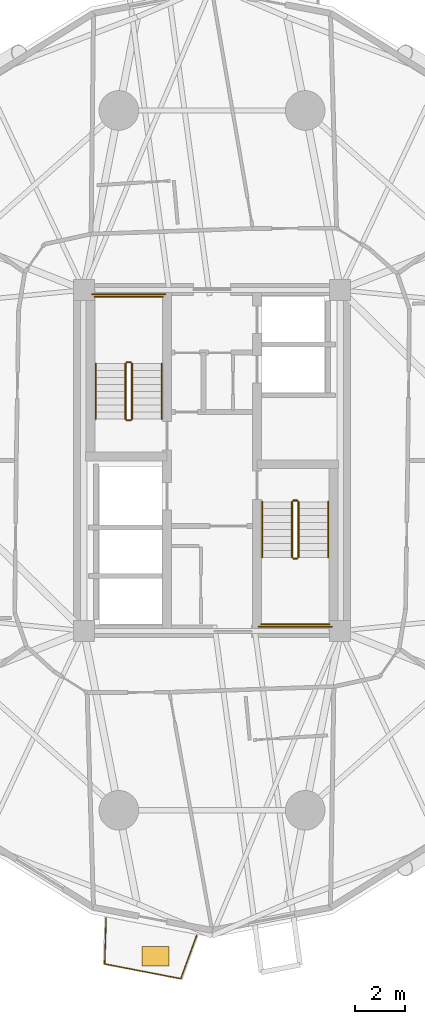
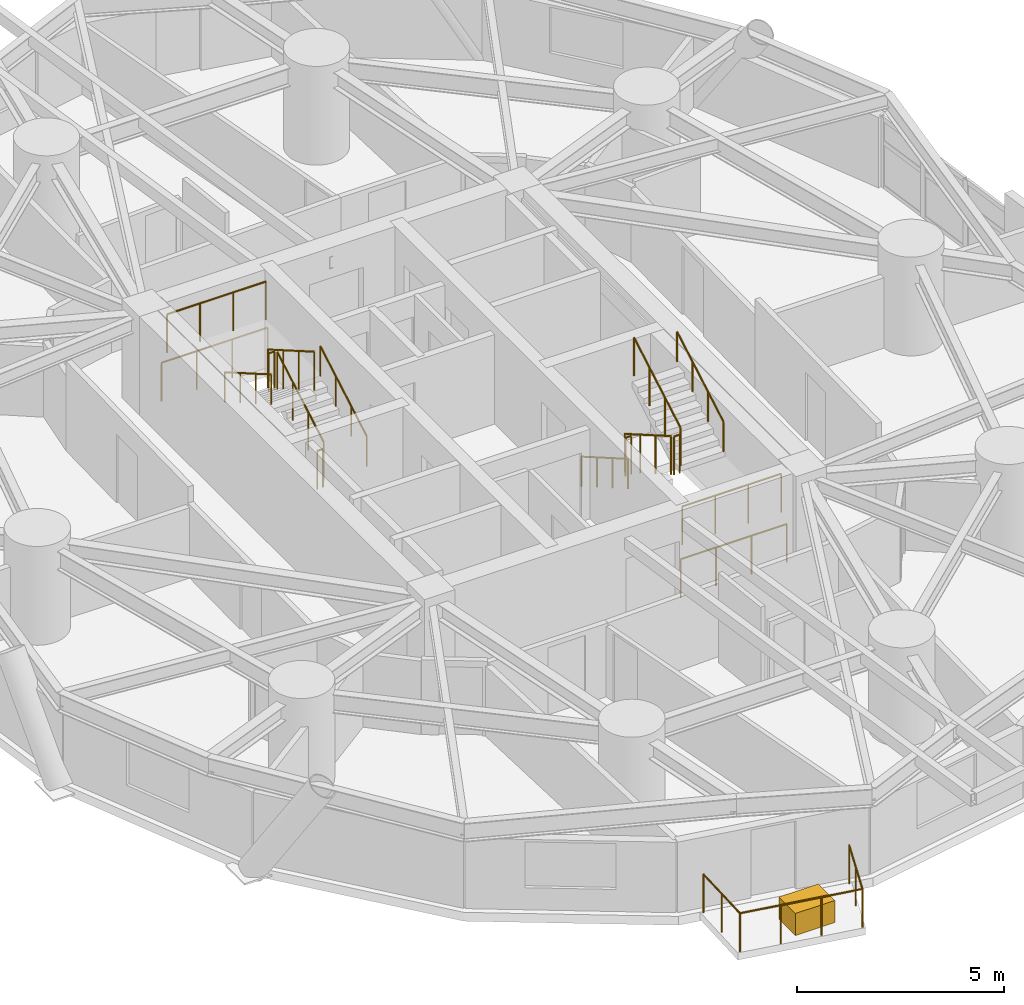
# One storey, part 17 of 19: 17 railings, 1 covering.
"""IFC4 building model written with IfcOpenShell, lengths in metres."""

from ifc_helpers import new_model, si_unit, direction, frame, origin, origin_2d, place, context, subcontext, project, spatial, rectangle, circle, extrude, source, transform, mapped, material, layer, layer_set, type_object, element, save


model = new_model("IFC4")

# Units and contexts
model_context = context("Model", 3, precision=1e-05, world=origin(), true_north=direction((0.0, 1.0)))
body_context = subcontext(model_context, "Body", "Model", "MODEL_VIEW")
ifc_project = project(units=[si_unit("LENGTHUNIT", "METRE"), si_unit("AREAUNIT", "SQUARE_METRE"), si_unit("VOLUMEUNIT", "CUBIC_METRE"), si_unit("PLANEANGLEUNIT", "RADIAN"), si_unit("MASSUNIT", "GRAM", prefix="KILO")], contexts=[model_context])

# Site, building, storey
site_placement = place(None, origin())
site = spatial("IfcSite", under=ifc_project, at=site_placement, CompositionType="ELEMENT")
building_placement = place(site_placement, origin())
building = spatial("IfcBuilding", under=site, at=building_placement, Name="Cununo Teusaquillo Station Towers", CompositionType="ELEMENT")
storey_placement = place(building_placement, frame((0.0, 0.0, 30.72998046875)))
storey = spatial("IfcBuildingStorey", under=building, at=storey_placement, Name="L08", CompositionType="ELEMENT", Elevation=30.72998046875)

# Railings
ifc_material_1 = material(Name="Anodised dark bronze aluminium EN AW-6063-T6", Category="aluminium")
railing_type_1 = type_object("IfcRailingType", Name="RL-EXT-GUARD", PredefinedType="GUARDRAIL", material=ifc_material_1)
railing_1_placement = place(storey_placement, frame((15.8818359375, 5.328125, 0.0)))
element("IfcRailing", 1, at=railing_1_placement, inside=storey, type_object=railing_type_1, Name="L08 Tower A Balcony Guardrail C14", PredefinedType="GUARDRAIL", context=body_context, shape_type="SweptSolid", body=[
    extrude(circle(Radius=0.02392578125, at=origin_2d()), frame((0.0, 0.0, 1.1259765625), z_axis=(-0.343888798081, -0.93901038043, 0.0), x_axis=(0.93901038043, -0.343888798081, 0.0)), (0.0, 0.0, 1.0), 1.86279296875),
    extrude(circle(Radius=0.02392578125, at=origin_2d()), frame((-0.640625, -1.749267578125, 1.1259765625), z_axis=(-0.981838510886, 0.189718577217, 0.0), x_axis=(-0.189718577217, -0.981838510886, 0.0)), (0.0, 0.0, 1.0), 3.12841796875),
    extrude(circle(Radius=0.02392578125, at=origin_2d()), frame((-3.712158203125, -1.15576171875, 1.1259765625), z_axis=(0.030666047799, 0.999529686159, 0.0), x_axis=(-0.999529686159, 0.030666047799, 0.0)), (0.0, 0.0, 1.0), 1.863037109375),
    extrude(circle(Radius=0.02099609375, at=origin_2d()), origin(), (0.0, 0.0, 1.0), 1.101806640625),
    extrude(circle(Radius=0.02099609375, at=origin_2d()), frame((-0.3203125, -0.87451171875, 0.0)), (0.0, 0.0, 1.0), 1.101806640625),
    extrude(circle(Radius=0.02099609375, at=origin_2d()), frame((-0.640625, -1.749267578125, 0.0)), (0.0, 0.0, 1.0), 1.101806640625),
    extrude(circle(Radius=0.02099609375, at=origin_2d()), frame((-1.66455078125, -1.551513671875, 0.0)), (0.0, 0.0, 1.0), 1.101806640625),
    extrude(circle(Radius=0.02099609375, at=origin_2d()), frame((-2.688232421875, -1.353515625, 0.0)), (0.0, 0.0, 1.0), 1.101806640625),
    extrude(circle(Radius=0.02099609375, at=origin_2d()), frame((-3.712158203125, -1.15576171875, 0.0)), (0.0, 0.0, 1.0), 1.101806640625),
    extrude(circle(Radius=0.02099609375, at=origin_2d()), frame((-3.68359375, -0.224609375, 0.0)), (0.0, 0.0, 1.0), 1.101806640625),
    extrude(circle(Radius=0.02099609375, at=origin_2d()), frame((-3.655029296875, 0.706298828125, 0.0)), (0.0, 0.0, 1.0), 1.101806640625),
])
ifc_material_2 = material(Name="Steel EN 10025-2 S355J2", Category="steel")
railing_type_2 = type_object("IfcRailingType", Name="RL-INT-GUARD", PredefinedType="GUARDRAIL", material=ifc_material_2)
railing_2_placement = place(storey_placement, frame((13.27001953125, 26.169921875, 0.16162109375)))
element("IfcRailing", 2, at=railing_2_placement, inside=storey, type_object=railing_type_2, Name="L08 ST-T1-1 stair guard 1", PredefinedType="GUARDRAIL", context=body_context, shape_type="SweptSolid", body=[
    extrude(circle(Radius=0.02392578125, at=origin_2d()), frame((0.0, 0.0, 1.1259765625), z_axis=(0.0, 0.865992244559, 0.500057429065), x_axis=(-1.0, 0.0, 0.0)), (0.0, 0.0, 1.0), 2.586669921875),
    extrude(circle(Radius=0.02099609375, at=origin_2d()), origin(), (0.0, 0.0, 1.0), 1.101806640625),
    extrude(circle(Radius=0.02099609375, at=origin_2d()), frame((0.0, 0.74658203125, 0.43115234375)), (0.0, 0.0, 1.0), 1.101806640625),
    extrude(circle(Radius=0.02099609375, at=origin_2d()), frame((0.0, 1.493408203125, 0.8623046875)), (0.0, 0.0, 1.0), 1.101806640625),
    extrude(circle(Radius=0.02099609375, at=origin_2d()), frame((0.0, 2.239990234375, 1.29345703125)), (0.0, 0.0, 1.0), 1.101806640625),
])
railing_3_placement = place(storey_placement, frame((13.219970703125, 28.4599609375, 1.455078125)))
element("IfcRailing", 3, at=railing_3_placement, inside=storey, type_object=railing_type_2, Name="L08 ST-T1-1 stair guard 2", PredefinedType="GUARDRAIL", context=body_context, shape_type="SweptSolid", body=[
    extrude(circle(Radius=0.02392578125, at=origin_2d()), frame((0.0, 0.0, 1.1259765625), z_axis=(-1.0, 0.0, 0.0), x_axis=(0.0, -1.0, 0.0)), (0.0, 0.0, 1.0), 0.159912109375),
    extrude(circle(Radius=0.02099609375, at=origin_2d()), origin(), (0.0, 0.0, 1.0), 1.101806640625),
    extrude(circle(Radius=0.02099609375, at=origin_2d()), frame((-0.159912109375, 0.0, 0.0)), (0.0, 0.0, 1.0), 1.101806640625),
])
railing_4_placement = place(storey_placement, frame((14.52001953125, 31.110107421875, 1.455078125)))
element("IfcRailing", 4, at=railing_4_placement, inside=storey, type_object=railing_type_2, Name="L08 ST-T1-1 stair guard 3", PredefinedType="GUARDRAIL", context=body_context, shape_type="SweptSolid", body=[
    extrude(circle(Radius=0.02392578125, at=origin_2d()), frame((0.0, 0.0, 1.1259765625), z_axis=(-1.0, 0.0, 0.0), x_axis=(0.0, -1.0, 0.0)), (0.0, 0.0, 1.0), 2.760009765625),
    extrude(circle(Radius=0.02099609375, at=origin_2d()), origin(), (0.0, 0.0, 1.0), 1.101806640625),
    extrude(circle(Radius=0.02099609375, at=origin_2d()), frame((-0.919921875, 0.0, 0.0)), (0.0, 0.0, 1.0), 1.101806640625),
    extrude(circle(Radius=0.02099609375, at=origin_2d()), frame((-1.840087890625, 0.0, 0.0)), (0.0, 0.0, 1.0), 1.101806640625),
    extrude(circle(Radius=0.02099609375, at=origin_2d()), frame((-2.760009765625, 0.0, 0.0)), (0.0, 0.0, 1.0), 1.101806640625),
])
railing_5_placement = place(storey_placement, frame((13.010009765625, 28.409912109375, 1.61669921875)))
element("IfcRailing", 5, at=railing_5_placement, inside=storey, type_object=railing_type_2, Name="L08 ST-T1-1 stair guard 4", PredefinedType="GUARDRAIL", context=body_context, shape_type="SweptSolid", body=[
    extrude(circle(Radius=0.02392578125, at=origin_2d()), frame((0.0, 0.0, 1.1259765625), z_axis=(0.0, -0.866033117094, 0.499986639918), x_axis=(1.0, 0.0, 0.0)), (0.0, 0.0, 1.0), 2.58642578125),
    extrude(circle(Radius=0.02099609375, at=origin_2d()), origin(), (0.0, 0.0, 1.0), 1.101806640625),
    extrude(circle(Radius=0.02099609375, at=origin_2d()), frame((0.0, -0.74658203125, 0.43115234375)), (0.0, 0.0, 1.0), 1.101806640625),
    extrude(circle(Radius=0.02099609375, at=origin_2d()), frame((0.0, -1.493408203125, 0.862060546875)), (0.0, 0.0, 1.0), 1.101806640625),
    extrude(circle(Radius=0.02099609375, at=origin_2d()), frame((0.0, -2.239990234375, 1.293212890625)), (0.0, 0.0, 1.0), 1.101806640625),
])
railing_6_placement = place(storey_placement, frame((13.219970703125, 26.1201171875, 0.0)))
element("IfcRailing", 6, at=railing_6_placement, inside=storey, type_object=railing_type_2, Name="L08 ST-T1-1 stair guard 5", PredefinedType="GUARDRAIL", context=body_context, shape_type="SweptSolid", body=[
    extrude(circle(Radius=0.02392578125, at=origin_2d()), frame((0.0, 0.0, 1.1259765625), z_axis=(-1.0, 0.0, 0.0), x_axis=(0.0, -1.0, 0.0)), (0.0, 0.0, 1.0), 0.159912109375),
    extrude(circle(Radius=0.02099609375, at=origin_2d()), origin(), (0.0, 0.0, 1.0), 1.101806640625),
    extrude(circle(Radius=0.02099609375, at=origin_2d()), frame((-0.159912109375, 0.0, 0.0)), (0.0, 0.0, 1.0), 1.101806640625),
])
railing_7_placement = place(storey_placement, frame((14.6201171875, 31.2099609375, 0.0)))
element("IfcRailing", 7, at=railing_7_placement, inside=storey, type_object=railing_type_2, Name="L08 ST-T1-1 stair guard 6", PredefinedType="GUARDRAIL", context=body_context, shape_type="SweptSolid", body=[
    extrude(circle(Radius=0.02392578125, at=origin_2d()), frame((0.0, 0.0, 1.1259765625), z_axis=(-1.0, 0.0, 0.0), x_axis=(0.0, -1.0, 0.0)), (0.0, 0.0, 1.0), 2.960205078125),
    extrude(circle(Radius=0.02099609375, at=origin_2d()), origin(), (0.0, 0.0, 1.0), 1.101806640625),
    extrude(circle(Radius=0.02099609375, at=origin_2d()), frame((-0.98681640625, 0.0, 0.0)), (0.0, 0.0, 1.0), 1.101806640625),
    extrude(circle(Radius=0.02099609375, at=origin_2d()), frame((-1.973388671875, 0.0, 0.0)), (0.0, 0.0, 1.0), 1.101806640625),
    extrude(circle(Radius=0.02099609375, at=origin_2d()), frame((-2.960205078125, 0.0, 0.0)), (0.0, 0.0, 1.0), 1.101806640625),
])
railing_8_placement = place(storey_placement, frame((19.72998046875, 22.830078125, 0.16162109375)))
element("IfcRailing", 8, at=railing_8_placement, inside=storey, type_object=railing_type_2, Name="L08 ST-T1-2 stair guard 1", PredefinedType="GUARDRAIL", context=body_context, shape_type="SweptSolid", body=[
    extrude(circle(Radius=0.02392578125, at=origin_2d()), frame((0.0, 0.0, 1.1259765625), z_axis=(0.0, -0.865992244559, 0.500057429065), x_axis=(1.0, 0.0, 0.0)), (0.0, 0.0, 1.0), 2.586669921875),
    extrude(circle(Radius=0.02099609375, at=origin_2d()), origin(), (0.0, 0.0, 1.0), 1.101806640625),
    extrude(circle(Radius=0.02099609375, at=origin_2d()), frame((0.0, -0.74658203125, 0.43115234375)), (0.0, 0.0, 1.0), 1.101806640625),
    extrude(circle(Radius=0.02099609375, at=origin_2d()), frame((0.0, -1.493408203125, 0.8623046875)), (0.0, 0.0, 1.0), 1.101806640625),
    extrude(circle(Radius=0.02099609375, at=origin_2d()), frame((0.0, -2.239990234375, 1.29345703125)), (0.0, 0.0, 1.0), 1.101806640625),
])
railing_9_placement = place(storey_placement, frame((19.780029296875, 20.5400390625, 1.455078125)))
element("IfcRailing", 9, at=railing_9_placement, inside=storey, type_object=railing_type_2, Name="L08 ST-T1-2 stair guard 2", PredefinedType="GUARDRAIL", context=body_context, shape_type="SweptSolid", body=[
    extrude(circle(Radius=0.02392578125, at=origin_2d()), frame((0.0, 0.0, 1.1259765625), z_axis=(1.0, 0.0, 0.0), x_axis=(0.0, 1.0, 0.0)), (0.0, 0.0, 1.0), 0.159912109375),
    extrude(circle(Radius=0.02099609375, at=origin_2d()), origin(), (0.0, 0.0, 1.0), 1.101806640625),
    extrude(circle(Radius=0.02099609375, at=origin_2d()), frame((0.159912109375, 0.0, 0.0)), (0.0, 0.0, 1.0), 1.101806640625),
])
railing_10_placement = place(storey_placement, frame((18.47998046875, 17.889892578125, 1.455078125)))
element("IfcRailing", 10, at=railing_10_placement, inside=storey, type_object=railing_type_2, Name="L08 ST-T1-2 stair guard 3", PredefinedType="GUARDRAIL", context=body_context, shape_type="SweptSolid", body=[
    extrude(circle(Radius=0.02392578125, at=origin_2d()), frame((0.0, 0.0, 1.1259765625), z_axis=(1.0, 0.0, 0.0), x_axis=(0.0, 1.0, 0.0)), (0.0, 0.0, 1.0), 2.760009765625),
    extrude(circle(Radius=0.02099609375, at=origin_2d()), origin(), (0.0, 0.0, 1.0), 1.101806640625),
    extrude(circle(Radius=0.02099609375, at=origin_2d()), frame((0.919921875, 0.0, 0.0)), (0.0, 0.0, 1.0), 1.101806640625),
    extrude(circle(Radius=0.02099609375, at=origin_2d()), frame((1.840087890625, 0.0, 0.0)), (0.0, 0.0, 1.0), 1.101806640625),
    extrude(circle(Radius=0.02099609375, at=origin_2d()), frame((2.760009765625, 0.0, 0.0)), (0.0, 0.0, 1.0), 1.101806640625),
])
railing_11_placement = place(storey_placement, frame((19.989990234375, 20.590087890625, 1.61669921875)))
element("IfcRailing", 11, at=railing_11_placement, inside=storey, type_object=railing_type_2, Name="L08 ST-T1-2 stair guard 4", PredefinedType="GUARDRAIL", context=body_context, shape_type="SweptSolid", body=[
    extrude(circle(Radius=0.02392578125, at=origin_2d()), frame((0.0, 0.0, 1.1259765625), z_axis=(0.0, 0.866033117094, 0.499986639918), x_axis=(-1.0, 0.0, 0.0)), (0.0, 0.0, 1.0), 2.58642578125),
    extrude(circle(Radius=0.02099609375, at=origin_2d()), origin(), (0.0, 0.0, 1.0), 1.101806640625),
    extrude(circle(Radius=0.02099609375, at=origin_2d()), frame((0.0, 0.74658203125, 0.43115234375)), (0.0, 0.0, 1.0), 1.101806640625),
    extrude(circle(Radius=0.02099609375, at=origin_2d()), frame((0.0, 1.493408203125, 0.862060546875)), (0.0, 0.0, 1.0), 1.101806640625),
    extrude(circle(Radius=0.02099609375, at=origin_2d()), frame((0.0, 2.239990234375, 1.293212890625)), (0.0, 0.0, 1.0), 1.101806640625),
])
railing_12_placement = place(storey_placement, frame((19.780029296875, 22.8798828125, 0.0)))
element("IfcRailing", 12, at=railing_12_placement, inside=storey, type_object=railing_type_2, Name="L08 ST-T1-2 stair guard 5", PredefinedType="GUARDRAIL", context=body_context, shape_type="SweptSolid", body=[
    extrude(circle(Radius=0.02392578125, at=origin_2d()), frame((0.0, 0.0, 1.1259765625), z_axis=(1.0, 0.0, 0.0), x_axis=(0.0, 1.0, 0.0)), (0.0, 0.0, 1.0), 0.159912109375),
    extrude(circle(Radius=0.02099609375, at=origin_2d()), origin(), (0.0, 0.0, 1.0), 1.101806640625),
    extrude(circle(Radius=0.02099609375, at=origin_2d()), frame((0.159912109375, 0.0, 0.0)), (0.0, 0.0, 1.0), 1.101806640625),
])
railing_13_placement = place(storey_placement, frame((18.3798828125, 17.7900390625, 0.0)))
element("IfcRailing", 13, at=railing_13_placement, inside=storey, type_object=railing_type_2, Name="L08 ST-T1-2 stair guard 6", PredefinedType="GUARDRAIL", context=body_context, shape_type="SweptSolid", body=[
    extrude(circle(Radius=0.02392578125, at=origin_2d()), frame((0.0, 0.0, 1.1259765625), z_axis=(1.0, 0.0, 0.0), x_axis=(0.0, 1.0, 0.0)), (0.0, 0.0, 1.0), 2.960205078125),
    extrude(circle(Radius=0.02099609375, at=origin_2d()), origin(), (0.0, 0.0, 1.0), 1.101806640625),
    extrude(circle(Radius=0.02099609375, at=origin_2d()), frame((0.98681640625, 0.0, 0.0)), (0.0, 0.0, 1.0), 1.101806640625),
    extrude(circle(Radius=0.02099609375, at=origin_2d()), frame((1.973388671875, 0.0, 0.0)), (0.0, 0.0, 1.0), 1.101806640625),
    extrude(circle(Radius=0.02099609375, at=origin_2d()), frame((2.960205078125, 0.0, 0.0)), (0.0, 0.0, 1.0), 1.101806640625),
])
ifc_material_3 = material(Name="Steel EN 10025-2 S355J2", Category="steel")
railing_type_3 = type_object("IfcRailingType", Name="RL-INT-HRAIL", PredefinedType="HANDRAIL", material=ifc_material_3)
railing_14_placement = place(storey_placement, frame((14.469970703125, 26.169921875, 0.16162109375)))
element("IfcRailing", 14, at=railing_14_placement, inside=storey, type_object=railing_type_3, Name="L08 ST-T1-1 stair handrail 1", PredefinedType="HANDRAIL", context=body_context, shape_type="SweptSolid", body=[
    extrude(circle(Radius=0.02392578125, at=origin_2d()), frame((0.0, 0.0, 0.8759765625), z_axis=(0.0, 0.865992244559, 0.500057429065), x_axis=(-1.0, 0.0, 0.0)), (0.0, 0.0, 1.0), 2.586669921875),
    extrude(circle(Radius=0.02099609375, at=origin_2d()), origin(), (0.0, 0.0, 1.0), 0.851806640625),
    extrude(circle(Radius=0.02099609375, at=origin_2d()), frame((0.0, 0.74658203125, 0.43115234375)), (0.0, 0.0, 1.0), 0.851806640625),
    extrude(circle(Radius=0.02099609375, at=origin_2d()), frame((0.0, 1.493408203125, 0.8623046875)), (0.0, 0.0, 1.0), 0.851806640625),
    extrude(circle(Radius=0.02099609375, at=origin_2d()), frame((0.0, 2.239990234375, 1.29345703125)), (0.0, 0.0, 1.0), 0.851806640625),
])
railing_15_placement = place(storey_placement, frame((11.81005859375, 28.409912109375, 1.61669921875)))
element("IfcRailing", 15, at=railing_15_placement, inside=storey, type_object=railing_type_3, Name="L08 ST-T1-1 stair handrail 2", PredefinedType="HANDRAIL", context=body_context, shape_type="SweptSolid", body=[
    extrude(circle(Radius=0.02392578125, at=origin_2d()), frame((0.0, 0.0, 0.8759765625), z_axis=(0.0, -0.866033117094, 0.499986639918), x_axis=(1.0, 0.0, 0.0)), (0.0, 0.0, 1.0), 2.58642578125),
    extrude(circle(Radius=0.02099609375, at=origin_2d()), origin(), (0.0, 0.0, 1.0), 0.851806640625),
    extrude(circle(Radius=0.02099609375, at=origin_2d()), frame((0.0, -0.74658203125, 0.43115234375)), (0.0, 0.0, 1.0), 0.851806640625),
    extrude(circle(Radius=0.02099609375, at=origin_2d()), frame((0.0, -1.493408203125, 0.862060546875)), (0.0, 0.0, 1.0), 0.851806640625),
    extrude(circle(Radius=0.02099609375, at=origin_2d()), frame((0.0, -2.239990234375, 1.293212890625)), (0.0, 0.0, 1.0), 0.851806640625),
])
railing_16_placement = place(storey_placement, frame((18.530029296875, 22.830078125, 0.16162109375)))
element("IfcRailing", 16, at=railing_16_placement, inside=storey, type_object=railing_type_3, Name="L08 ST-T1-2 stair handrail 1", PredefinedType="HANDRAIL", context=body_context, shape_type="SweptSolid", body=[
    extrude(circle(Radius=0.02392578125, at=origin_2d()), frame((0.0, 0.0, 0.8759765625), z_axis=(0.0, -0.865992244559, 0.500057429065), x_axis=(1.0, 0.0, 0.0)), (0.0, 0.0, 1.0), 2.586669921875),
    extrude(circle(Radius=0.02099609375, at=origin_2d()), origin(), (0.0, 0.0, 1.0), 0.851806640625),
    extrude(circle(Radius=0.02099609375, at=origin_2d()), frame((0.0, -0.74658203125, 0.43115234375)), (0.0, 0.0, 1.0), 0.851806640625),
    extrude(circle(Radius=0.02099609375, at=origin_2d()), frame((0.0, -1.493408203125, 0.8623046875)), (0.0, 0.0, 1.0), 0.851806640625),
    extrude(circle(Radius=0.02099609375, at=origin_2d()), frame((0.0, -2.239990234375, 1.29345703125)), (0.0, 0.0, 1.0), 0.851806640625),
])
railing_17_placement = place(storey_placement, frame((21.18994140625, 20.590087890625, 1.61669921875)))
element("IfcRailing", 17, at=railing_17_placement, inside=storey, type_object=railing_type_3, Name="L08 ST-T1-2 stair handrail 2", PredefinedType="HANDRAIL", context=body_context, shape_type="SweptSolid", body=[
    extrude(circle(Radius=0.02392578125, at=origin_2d()), frame((0.0, 0.0, 0.8759765625), z_axis=(0.0, 0.866033117094, 0.499986639918), x_axis=(-1.0, 0.0, 0.0)), (0.0, 0.0, 1.0), 2.58642578125),
    extrude(circle(Radius=0.02099609375, at=origin_2d()), origin(), (0.0, 0.0, 1.0), 0.851806640625),
    extrude(circle(Radius=0.02099609375, at=origin_2d()), frame((0.0, 0.74658203125, 0.43115234375)), (0.0, 0.0, 1.0), 0.851806640625),
    extrude(circle(Radius=0.02099609375, at=origin_2d()), frame((0.0, 1.493408203125, 0.862060546875)), (0.0, 0.0, 1.0), 0.851806640625),
    extrude(circle(Radius=0.02099609375, at=origin_2d()), frame((0.0, 2.239990234375, 1.293212890625)), (0.0, 0.0, 1.0), 0.851806640625),
])

# Covering
ifc_material_4 = material(Name="Architectural GRC planter shell and engineered root-zone substrate", Category="concrete")
ifc_layer = layer(ifc_material_4, 0.64990234375)
ifc_layer_set = layer_set([ifc_layer], Name="Architectural GRC planter shell and engineered root-zone substrate")
covering_type = type_object("IfcCoveringType", Name="COV-TREE-PLANTER", PredefinedType="CLADDING", material=ifc_layer_set)
shared_shape = source(origin(), body_context, "Body", "SweptSolid", [
    extrude(rectangle(XDim=1.10009765625, YDim=0.800048828125, at=origin_2d()), origin(), (0.0, 0.0, 1.0), 0.64990234375),
])
covering_placement = place(storey_placement, frame((14.21484375, 4.48291015625, 0.0), z_axis=(0.0, 0.0, 1.0), x_axis=(1.0, 0.0, 0.0)))
element("IfcCovering", 18, at=covering_placement, inside=storey, type_object=covering_type, Name="L08 Tower A Balcony Tree PLANTER C14", PredefinedType="CLADDING", context=body_context, shape_type="MappedRepresentation", body=[
    mapped(shared_shape, transform((0.0, 0.0, 0.0), x_axis=(1.0, 0.0, 0.0), y_axis=(0.0, 1.0, 0.0), z_axis=(0.0, 0.0, 1.0), scale=1.0)),
])

save(model, "model.ifc")
